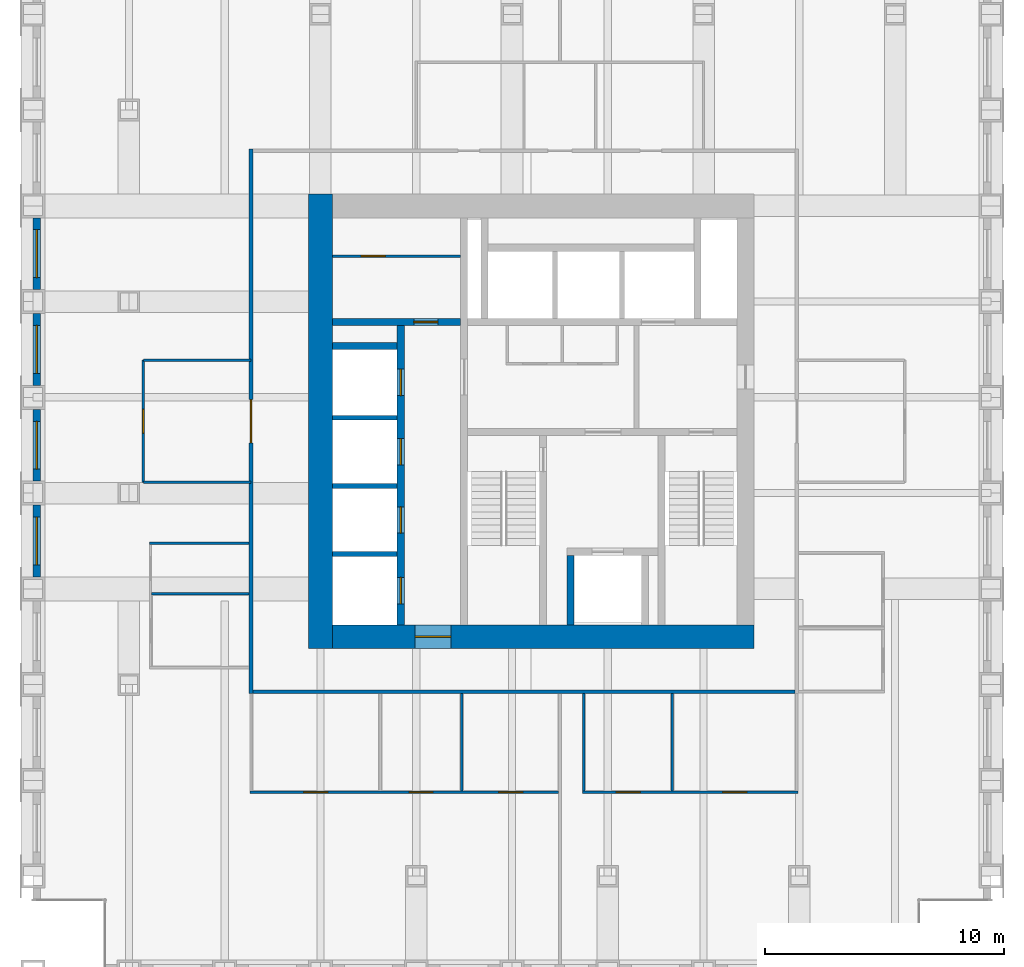
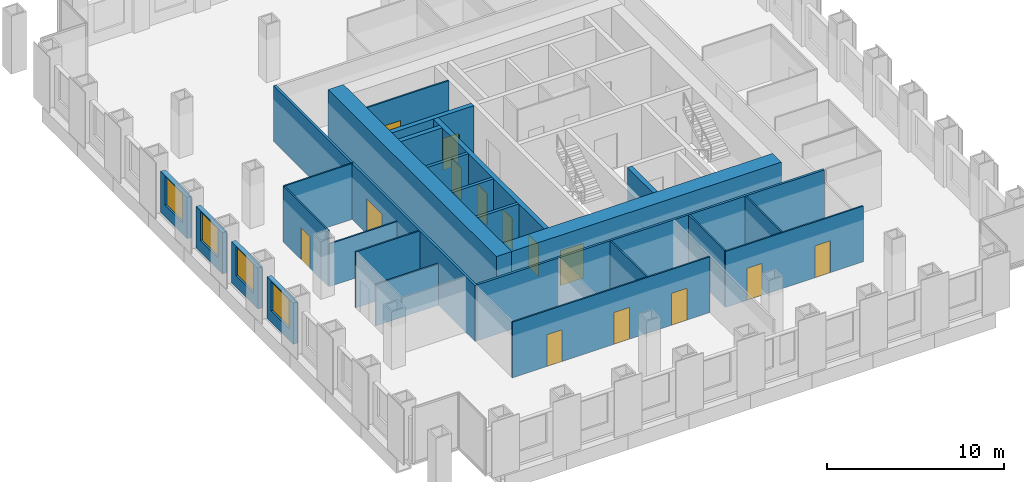
# One storey, part 8 of 12: 26 walls, 14 doors, 4 windows, 18 openings.
"""IFC4 building model written with IfcOpenShell, lengths in metres."""

from ifc_helpers import new_model, si_unit, direction, frame, frame_2d, origin, place, context, subcontext, project, spatial, rectangle, extrude, material, layer, layer_set, type_object, element, fill, save


model = new_model("IFC4")

# Units and contexts
model_context = context("Model", 3, precision=1e-05, world=origin(), true_north=direction((0.0, 1.0)))
body_context = subcontext(model_context, "Body", "Model", "MODEL_VIEW")
ifc_project = project(units=[si_unit("LENGTHUNIT", "METRE"), si_unit("AREAUNIT", "SQUARE_METRE"), si_unit("VOLUMEUNIT", "CUBIC_METRE"), si_unit("PLANEANGLEUNIT", "RADIAN"), si_unit("MASSUNIT", "GRAM", prefix="KILO")], contexts=[model_context])

# Site, building, storey
site_placement = place(None, origin())
site = spatial("IfcSite", under=ifc_project, at=site_placement, CompositionType="ELEMENT")
building_placement = place(site_placement, origin())
building = spatial("IfcBuilding", under=site, at=building_placement, Name="Rimbunsela Tower", CompositionType="ELEMENT")
storey_placement = place(building_placement, frame((0.0, 0.0, 147.800048828125)))
storey = spatial("IfcBuildingStorey", under=building, at=storey_placement, Name="L35", CompositionType="ELEMENT", Elevation=147.800048828125)

# Wall
ifc_material_1 = material(Name="Concrete fc' 80 MPa", Category="concrete")
ifc_layer_1 = layer(ifc_material_1, 0.300048828125)
ifc_layer_set_1 = layer_set([ifc_layer_1], Name="Core internal wall 300")
wall_type_1 = type_object("IfcWallType", Name="Core internal wall 300", PredefinedType="SHEAR", material=ifc_layer_set_1)
wall_1_placement = place(storey_placement, frame((28.449951171875, 18.5, -0.150146484375), z_axis=(0.0, 0.0, 1.0), x_axis=(0.0, 1.0, 0.0)))
element("IfcWall", 1, at=wall_1_placement, inside=storey, type_object=wall_type_1, Name="Firefighting lift shaft west", PredefinedType="SHEAR", context=body_context, shape_type="SweptSolid", body=[
    extrude(rectangle(XDim=2.89990234375, YDim=0.300048828125, at=frame_2d((1.449951171875, 0.0))), origin(), (0.0, 0.0, 1.0), 4.0),
])

# Wall, openings, doors
wall_2_placement = place(storey_placement, frame((21.35009765625, 18.5, -0.150146484375), z_axis=(0.0, 0.0, 1.0), x_axis=(0.0, 1.0, 0.0)))
wall_2 = element("IfcWall", 2, at=wall_2_placement, inside=storey, type_object=wall_type_1, Name="Lift shaft front west", PredefinedType="SHEAR", context=body_context, shape_type="SweptSolid", body=[
    extrude(rectangle(XDim=12.5, YDim=0.300048828125, at=frame_2d((6.25, 0.0))), origin(), (0.0, 0.0, 1.0), 4.0),
])
opening_1_placement = place(wall_2_placement, frame((0.875, 0.0, 0.14990234375)))
opening_1 = element("IfcOpeningElement", 3, at=opening_1_placement, cuts=wall_2, Name="Opening LD1", PredefinedType="OPENING", context=body_context, shape_type="SweptSolid", body=[
    extrude(rectangle(XDim=1.10009765625, YDim=2.199951171875, at=frame_2d((0.550048828125, 1.10009765625))), frame((0.0, 0.159912109375, 0.0), z_axis=(0.0, -1.0, 0.0), x_axis=(1.0, 0.0, 0.0)), (0.0, 0.0, 1.0), 0.320068359375),
])
opening_2_placement = place(wall_2_placement, frame((3.824951171875, 0.0, 0.14990234375)))
opening_2 = element("IfcOpeningElement", 4, at=opening_2_placement, cuts=wall_2, Name="Opening LD1", PredefinedType="OPENING", context=body_context, shape_type="SweptSolid", body=[
    extrude(rectangle(XDim=1.10009765625, YDim=2.199951171875, at=frame_2d((0.550048828125, 1.10009765625))), frame((0.0, 0.159912109375, 0.0), z_axis=(0.0, -1.0, 0.0), x_axis=(1.0, 0.0, 0.0)), (0.0, 0.0, 1.0), 0.320068359375),
])
opening_3_placement = place(wall_2_placement, frame((6.675048828125, 0.0, 0.14990234375)))
opening_3 = element("IfcOpeningElement", 5, at=opening_3_placement, cuts=wall_2, Name="Opening LD1", PredefinedType="OPENING", context=body_context, shape_type="SweptSolid", body=[
    extrude(rectangle(XDim=1.10009765625, YDim=2.199951171875, at=frame_2d((0.550048828125, 1.10009765625))), frame((0.0, 0.159912109375, 0.0), z_axis=(0.0, -1.0, 0.0), x_axis=(1.0, 0.0, 0.0)), (0.0, 0.0, 1.0), 0.320068359375),
])
opening_4_placement = place(wall_2_placement, frame((9.574951171875, 0.0, 0.14990234375)))
opening_4 = element("IfcOpeningElement", 6, at=opening_4_placement, cuts=wall_2, Name="Opening LD1", PredefinedType="OPENING", context=body_context, shape_type="SweptSolid", body=[
    extrude(rectangle(XDim=1.10009765625, YDim=2.199951171875, at=frame_2d((0.550048828125, 1.10009765625))), frame((0.0, 0.159912109375, 0.0), z_axis=(0.0, -1.0, 0.0), x_axis=(1.0, 0.0, 0.0)), (0.0, 0.0, 1.0), 0.320068359375),
])
ifc_material_2 = material(Name="Steel door, fire rated", Category="steel")
door_type_1 = type_object("IfcDoorType", Name="Lift landing door 1100", OperationType="DOUBLE_DOOR_SLIDING", PredefinedType="DOOR", material=ifc_material_2)
door_1_placement = place(opening_1_placement, origin())
door_1 = element("IfcDoor", 7, at=door_1_placement, inside=storey, type_object=door_type_1, Name="Lift landing door HL1", OperationType="DOUBLE_DOOR_SLIDING", OverallHeight=2.199951171875, OverallWidth=1.10009765625, PredefinedType="DOOR", context=body_context, shape_type="SweptSolid", body=[
    extrude(rectangle(XDim=1.10009765625, YDim=2.199951171875, at=frame_2d((0.550048828125, 1.10009765625))), frame((0.0, 0.02490234375, 0.0), z_axis=(0.0, -1.0, 0.0), x_axis=(1.0, 0.0, 0.0)), (0.0, 0.0, 1.0), 0.050048828125),
])
fill(opening_1, door_1)
door_2_placement = place(opening_2_placement, origin())
door_2 = element("IfcDoor", 8, at=door_2_placement, inside=storey, type_object=door_type_1, Name="Lift landing door HL2", OperationType="DOUBLE_DOOR_SLIDING", OverallHeight=2.199951171875, OverallWidth=1.10009765625, PredefinedType="DOOR", context=body_context, shape_type="SweptSolid", body=[
    extrude(rectangle(XDim=1.10009765625, YDim=2.199951171875, at=frame_2d((0.550048828125, 1.10009765625))), frame((0.0, 0.02490234375, 0.0), z_axis=(0.0, -1.0, 0.0), x_axis=(1.0, 0.0, 0.0)), (0.0, 0.0, 1.0), 0.050048828125),
])
fill(opening_2, door_2)
door_3_placement = place(opening_3_placement, origin())
door_3 = element("IfcDoor", 9, at=door_3_placement, inside=storey, type_object=door_type_1, Name="Lift landing door HL3", OperationType="DOUBLE_DOOR_SLIDING", OverallHeight=2.199951171875, OverallWidth=1.10009765625, PredefinedType="DOOR", context=body_context, shape_type="SweptSolid", body=[
    extrude(rectangle(XDim=1.10009765625, YDim=2.199951171875, at=frame_2d((0.550048828125, 1.10009765625))), frame((0.0, 0.02490234375, 0.0), z_axis=(0.0, -1.0, 0.0), x_axis=(1.0, 0.0, 0.0)), (0.0, 0.0, 1.0), 0.050048828125),
])
fill(opening_3, door_3)
door_4_placement = place(opening_4_placement, origin())
door_4 = element("IfcDoor", 10, at=door_4_placement, inside=storey, type_object=door_type_1, Name="Lift landing door HL4", OperationType="DOUBLE_DOOR_SLIDING", OverallHeight=2.199951171875, OverallWidth=1.10009765625, PredefinedType="DOOR", context=body_context, shape_type="SweptSolid", body=[
    extrude(rectangle(XDim=1.10009765625, YDim=2.199951171875, at=frame_2d((0.550048828125, 1.10009765625))), frame((0.0, 0.02490234375, 0.0), z_axis=(0.0, -1.0, 0.0), x_axis=(1.0, 0.0, 0.0)), (0.0, 0.0, 1.0), 0.050048828125),
])
fill(opening_4, door_4)

# Wall, opening, door
wall_3_placement = place(storey_placement, frame((18.5, 31.14990234375, -0.150146484375), z_axis=(0.0, 0.0, 1.0), x_axis=(1.0, 0.0, 0.0)))
wall_3 = element("IfcWall", 11, at=wall_3_placement, inside=storey, type_object=wall_type_1, Name="Store wall", PredefinedType="SHEAR", context=body_context, shape_type="SweptSolid", body=[
    extrude(rectangle(XDim=5.35009765625, YDim=0.300048828125, at=frame_2d((2.675048828125, 0.0))), origin(), (0.0, 0.0, 1.0), 4.0),
])
opening_5_placement = place(wall_3_placement, frame((3.39990234375, 0.0, 0.14990234375)))
opening_5 = element("IfcOpeningElement", 12, at=opening_5_placement, cuts=wall_3, Name="Opening D19", PredefinedType="OPENING", context=body_context, shape_type="SweptSolid", body=[
    extrude(rectangle(XDim=1.0, YDim=2.199951171875, at=frame_2d((0.5, 1.10009765625))), frame((0.0, 0.159912109375, 0.0), z_axis=(0.0, -1.0, 0.0), x_axis=(1.0, 0.0, 0.0)), (0.0, 0.0, 1.0), 0.320068359375),
])
ifc_material_3 = material(Name="Steel door, fire rated", Category="steel")
door_type_2 = type_object("IfcDoorType", Name="Service door 1000 fire rated", OperationType="SINGLE_SWING_LEFT", PredefinedType="DOOR", material=ifc_material_3)
door_5_placement = place(opening_5_placement, origin())
door_5 = element("IfcDoor", 13, at=door_5_placement, inside=storey, type_object=door_type_2, Name="Facilities store door", OperationType="SINGLE_SWING_LEFT", OverallHeight=2.199951171875, OverallWidth=1.0, PredefinedType="DOOR", context=body_context, shape_type="SweptSolid", body=[
    extrude(rectangle(XDim=1.0, YDim=2.199951171875, at=frame_2d((0.5, 1.10009765625))), frame((0.0, 0.02490234375, 0.0), z_axis=(0.0, -1.0, 0.0), x_axis=(1.0, 0.0, 0.0)), (0.0, 0.0, 1.0), 0.050048828125),
])
fill(opening_5, door_5)

# Wall
wall_4_placement = place(storey_placement, frame((18.5, 30.14990234375, -0.150146484375), z_axis=(0.0, 0.0, 1.0), x_axis=(1.0, 0.0, 0.0)))
element("IfcWall", 14, at=wall_4_placement, inside=storey, type_object=wall_type_1, Name="Lift shaft rear west", PredefinedType="SHEAR", context=body_context, shape_type="SweptSolid", body=[
    extrude(rectangle(XDim=2.699951171875, YDim=0.300048828125, at=frame_2d((1.35009765625, 0.0))), origin(), (0.0, 0.0, 1.0), 4.0),
])

# Wall, opening, door
ifc_material_4 = material(Name="Concrete blockwork", Category="masonry")
ifc_layer_2 = layer(ifc_material_4, 0.10009765625)
ifc_layer_set_2 = layer_set([ifc_layer_2], Name="Core room partition 100")
wall_type_2 = type_object("IfcWallType", Name="Core room partition 100", PredefinedType="PARTITIONING", material=ifc_layer_set_2)
wall_5_placement = place(storey_placement, frame((18.5, 33.89990234375, 0.0), z_axis=(0.0, 0.0, 1.0), x_axis=(1.0, 0.0, 0.0)))
wall_5 = element("IfcWall", 15, at=wall_5_placement, inside=storey, type_object=wall_type_2, Name="Equipment store wall", PredefinedType="PARTITIONING", context=body_context, shape_type="SweptSolid", body=[
    extrude(rectangle(XDim=5.35009765625, YDim=0.10009765625, at=frame_2d((2.675048828125, 0.0))), origin(), (0.0, 0.0, 1.0), 3.849853515625),
])
opening_6_placement = place(wall_5_placement, frame((1.199951171875, 0.0, 0.0)))
opening_6 = element("IfcOpeningElement", 16, at=opening_6_placement, cuts=wall_5, Name="Opening D19", PredefinedType="OPENING", context=body_context, shape_type="SweptSolid", body=[
    extrude(rectangle(XDim=1.0, YDim=2.199951171875, at=frame_2d((0.5, 1.10009765625))), frame((0.0, 0.06005859375, 0.0), z_axis=(0.0, -1.0, 0.0), x_axis=(1.0, 0.0, 0.0)), (0.0, 0.0, 1.0), 0.1201171875),
])
door_6_placement = place(opening_6_placement, origin())
door_6 = element("IfcDoor", 17, at=door_6_placement, inside=storey, type_object=door_type_2, Name="Equipment store door", OperationType="SINGLE_SWING_LEFT", OverallHeight=2.199951171875, OverallWidth=1.0, PredefinedType="DOOR", context=body_context, shape_type="SweptSolid", body=[
    extrude(rectangle(XDim=1.0, YDim=2.199951171875, at=frame_2d((0.5, 1.10009765625))), frame((0.0, 0.02490234375, 0.0), z_axis=(0.0, -1.0, 0.0), x_axis=(1.0, 0.0, 0.0)), (0.0, 0.0, 1.0), 0.050048828125),
])
fill(opening_6, door_6)

# Wall
ifc_material_5 = material(Name="Concrete fc' 80 MPa", Category="concrete")
ifc_layer_3 = layer(ifc_material_5, 1.0)
ifc_layer_set_3 = layer_set([ifc_layer_3], Name="Core wall 1000")
wall_type_3 = type_object("IfcWallType", Name="Core wall 1000", PredefinedType="SHEAR", material=ifc_layer_set_3)
wall_6_placement = place(storey_placement, frame((18.0, 17.5, -0.150146484375), z_axis=(0.0, 0.0, 1.0), x_axis=(0.0, 1.0, 0.0)))
element("IfcWall", 18, at=wall_6_placement, inside=storey, type_object=wall_type_3, Name="Core wall west", PredefinedType="SHEAR", context=body_context, shape_type="SweptSolid", body=[
    extrude(rectangle(XDim=19.0, YDim=1.0, at=frame_2d((9.5, 0.0))), origin(), (0.0, 0.0, 1.0), 4.0),
])

# Wall, opening, door
wall_7_placement = place(storey_placement, frame((18.5, 18.0, -0.150146484375), z_axis=(0.0, 0.0, 1.0), x_axis=(1.0, 0.0, 0.0)))
wall_7 = element("IfcWall", 19, at=wall_7_placement, inside=storey, type_object=wall_type_3, Name="Core wall south", PredefinedType="SHEAR", context=body_context, shape_type="SweptSolid", body=[
    extrude(rectangle(XDim=17.60009765625, YDim=1.0, at=frame_2d((8.800048828125, 0.0))), origin(), (0.0, 0.0, 1.0), 4.0),
])
opening_7_placement = place(wall_7_placement, frame((3.449951171875, 0.0, 0.14990234375)))
opening_7 = element("IfcOpeningElement", 20, at=opening_7_placement, cuts=wall_7, Name="Opening D03", PredefinedType="OPENING", context=body_context, shape_type="SweptSolid", body=[
    extrude(rectangle(XDim=1.5, YDim=2.39990234375, at=frame_2d((0.75, 1.199951171875))), frame((0.0, 0.510009765625, 0.0), z_axis=(0.0, -1.0, 0.0), x_axis=(1.0, 0.0, 0.0)), (0.0, 0.0, 1.0), 1.02001953125),
])
ifc_material_6 = material(Name="Steel door, fire rated", Category="steel")
door_type_3 = type_object("IfcDoorType", Name="Core lobby door 1500", OperationType="DOUBLE_DOOR_DOUBLE_SWING", PredefinedType="DOOR", material=ifc_material_6)
door_7_placement = place(opening_7_placement, origin())
door_7 = element("IfcDoor", 21, at=door_7_placement, inside=storey, type_object=door_type_3, Name="Core door south", OperationType="DOUBLE_DOOR_DOUBLE_SWING", OverallHeight=2.39990234375, OverallWidth=1.5, PredefinedType="DOOR", context=body_context, shape_type="SweptSolid", body=[
    extrude(rectangle(XDim=1.5, YDim=2.39990234375, at=frame_2d((0.75, 1.199951171875))), frame((0.0, 0.02490234375, 0.0), z_axis=(0.0, -1.0, 0.0), x_axis=(1.0, 0.0, 0.0)), (0.0, 0.0, 1.0), 0.050048828125),
])
fill(opening_7, door_7)

# Walls
ifc_material_7 = material(Name="Concrete blockwork", Category="masonry")
ifc_layer_4 = layer(ifc_material_7, 0.199951171875)
ifc_layer_set_4 = layer_set([ifc_layer_4], Name="Lift shaft wall 200")
wall_type_4 = type_object("IfcWallType", Name="Lift shaft wall 200", PredefinedType="SOLIDWALL", material=ifc_layer_set_4)
for number, where, z_axis, x_axis, name in (
    (22, (18.5, 21.449951171875, -0.150146484375), (0.0, 0.0, 1.0), (1.0, 0.0, 0.0), "Lift shaft separation"),
    (23, (18.5, 24.300048828125, -0.150146484375), (0.0, 0.0, 1.0), (1.0, 0.0, 0.0), "Lift shaft separation"),
    (24, (18.5, 27.14990234375, -0.150146484375), (0.0, 0.0, 1.0), (1.0, 0.0, 0.0), "Lift shaft separation"),
):
    element("IfcWall", number, at=place(storey_placement, frame(where, z_axis=z_axis, x_axis=x_axis)), inside=storey, type_object=wall_type_4, Name=name, PredefinedType="SOLIDWALL", context=body_context, shape_type="SweptSolid", body=[
        extrude(rectangle(XDim=2.699951171875, YDim=0.199951171875, at=frame_2d((1.35009765625, 0.0))), origin(), (0.0, 0.0, 1.0), 4.0),
    ])

# Wall, openings, doors
ifc_material_8 = material(Name="Gypsum board on steel studs", Category="steel")
ifc_layer_5 = layer(ifc_material_8, 0.10009765625)
ifc_layer_set_5 = layer_set([ifc_layer_5], Name="Office partition 100")
wall_type_5 = type_object("IfcWallType", Name="Office partition 100", PredefinedType="PARTITIONING", material=ifc_layer_set_5)
wall_8_placement = place(storey_placement, frame((15.050048828125, 11.5, 0.0), z_axis=(0.0, 0.0, 1.0), x_axis=(1.0, 0.0, 0.0)))
wall_8 = element("IfcWall", 25, at=wall_8_placement, inside=storey, type_object=wall_type_5, Name="Office partition", PredefinedType="PARTITIONING", context=body_context, shape_type="SweptSolid", body=[
    extrude(rectangle(XDim=12.888916015625, YDim=0.10009765625, at=frame_2d((6.4443359375, 0.0))), origin(), (0.0, 0.0, 1.0), 3.849853515625),
])
opening_8_placement = place(wall_8_placement, frame((2.25, 0.0, 0.0)))
opening_8 = element("IfcOpeningElement", 26, at=opening_8_placement, cuts=wall_8, Name="Opening D17", PredefinedType="OPENING", context=body_context, shape_type="SweptSolid", body=[
    extrude(rectangle(XDim=1.0, YDim=2.199951171875, at=frame_2d((0.5, 1.10009765625))), frame((0.0, 0.06005859375, 0.0), z_axis=(0.0, -1.0, 0.0), x_axis=(1.0, 0.0, 0.0)), (0.0, 0.0, 1.0), 0.1201171875),
])
opening_9_placement = place(wall_8_placement, frame((6.64990234375, 0.0, 0.0)))
opening_9 = element("IfcOpeningElement", 27, at=opening_9_placement, cuts=wall_8, Name="Opening D16", PredefinedType="OPENING", context=body_context, shape_type="SweptSolid", body=[
    extrude(rectangle(XDim=1.0, YDim=2.199951171875, at=frame_2d((0.5, 1.10009765625))), frame((0.0, 0.06005859375, 0.0), z_axis=(0.0, -1.0, 0.0), x_axis=(1.0, 0.0, 0.0)), (0.0, 0.0, 1.0), 0.1201171875),
])
opening_10_placement = place(wall_8_placement, frame((10.3994140625, 0.0, 0.0)))
opening_10 = element("IfcOpeningElement", 28, at=opening_10_placement, cuts=wall_8, Name="Opening D16", PredefinedType="OPENING", context=body_context, shape_type="SweptSolid", body=[
    extrude(rectangle(XDim=1.0, YDim=2.199951171875, at=frame_2d((0.5, 1.10009765625))), frame((0.0, 0.06005859375, 0.0), z_axis=(0.0, -1.0, 0.0), x_axis=(1.0, 0.0, 0.0)), (0.0, 0.0, 1.0), 0.1201171875),
])
ifc_material_9 = material(Name="Glazed aluminium door", Category="aluminium")
door_type_4 = type_object("IfcDoorType", Name="Meeting room door 1000 glazed", OperationType="SINGLE_SWING_RIGHT", PredefinedType="DOOR", material=ifc_material_9)
door_8_placement = place(opening_8_placement, origin())
door_8 = element("IfcDoor", 29, at=door_8_placement, inside=storey, type_object=door_type_4, Name="Meeting room door", OperationType="SINGLE_SWING_RIGHT", OverallHeight=2.199951171875, OverallWidth=1.0, PredefinedType="DOOR", context=body_context, shape_type="SweptSolid", body=[
    extrude(rectangle(XDim=1.0, YDim=2.199951171875, at=frame_2d((0.5, 1.10009765625))), frame((0.0, 0.02490234375, 0.0), z_axis=(0.0, -1.0, 0.0), x_axis=(1.0, 0.0, 0.0)), (0.0, 0.0, 1.0), 0.050048828125),
])
fill(opening_8, door_8)
ifc_material_10 = material(Name="Timber door", Category="wood")
door_type_5 = type_object("IfcDoorType", Name="Office door 1000", OperationType="SINGLE_SWING_LEFT", PredefinedType="DOOR", material=ifc_material_10)
door_9_placement = place(opening_9_placement, origin())
door_9 = element("IfcDoor", 30, at=door_9_placement, inside=storey, type_object=door_type_5, Name="Office door", OperationType="SINGLE_SWING_LEFT", OverallHeight=2.199951171875, OverallWidth=1.0, PredefinedType="DOOR", context=body_context, shape_type="SweptSolid", body=[
    extrude(rectangle(XDim=1.0, YDim=2.199951171875, at=frame_2d((0.5, 1.10009765625))), frame((0.0, 0.02490234375, 0.0), z_axis=(0.0, -1.0, 0.0), x_axis=(1.0, 0.0, 0.0)), (0.0, 0.0, 1.0), 0.050048828125),
])
fill(opening_9, door_9)
door_10_placement = place(opening_10_placement, origin())
door_10 = element("IfcDoor", 31, at=door_10_placement, inside=storey, type_object=door_type_5, Name="Office door", OperationType="SINGLE_SWING_LEFT", OverallHeight=2.199951171875, OverallWidth=1.0, PredefinedType="DOOR", context=body_context, shape_type="SweptSolid", body=[
    extrude(rectangle(XDim=1.0, YDim=2.199951171875, at=frame_2d((0.5, 1.10009765625))), frame((0.0, 0.02490234375, 0.0), z_axis=(0.0, -1.0, 0.0), x_axis=(1.0, 0.0, 0.0)), (0.0, 0.0, 1.0), 0.050048828125),
])
fill(opening_10, door_10)

wall_9_placement = place(storey_placement, frame((28.948974609375, 11.5, 0.0), z_axis=(0.0, 0.0, 1.0), x_axis=(1.0, 0.0, 0.0)))
wall_9 = element("IfcWall", 32, at=wall_9_placement, inside=storey, type_object=wall_type_5, Name="Office partition", PredefinedType="PARTITIONING", context=body_context, shape_type="SweptSolid", body=[
    extrude(rectangle(XDim=9.0009765625, YDim=0.10009765625, at=frame_2d((4.50048828125, 0.0))), origin(), (0.0, 0.0, 1.0), 3.849853515625),
])
opening_11_placement = place(wall_9_placement, frame((1.39990234375, 0.0, 0.0)))
opening_11 = element("IfcOpeningElement", 33, at=opening_11_placement, cuts=wall_9, Name="Opening D17", PredefinedType="OPENING", context=body_context, shape_type="SweptSolid", body=[
    extrude(rectangle(XDim=1.0, YDim=2.199951171875, at=frame_2d((0.5, 1.10009765625))), frame((0.0, 0.06005859375, 0.0), z_axis=(0.0, -1.0, 0.0), x_axis=(1.0, 0.0, 0.0)), (0.0, 0.0, 1.0), 0.1201171875),
])
opening_12_placement = place(wall_9_placement, frame((5.8505859375, 0.0, 0.0)))
opening_12 = element("IfcOpeningElement", 34, at=opening_12_placement, cuts=wall_9, Name="Opening D16", PredefinedType="OPENING", context=body_context, shape_type="SweptSolid", body=[
    extrude(rectangle(XDim=1.0, YDim=2.199951171875, at=frame_2d((0.5, 1.10009765625))), frame((0.0, 0.06005859375, 0.0), z_axis=(0.0, -1.0, 0.0), x_axis=(1.0, 0.0, 0.0)), (0.0, 0.0, 1.0), 0.1201171875),
])
door_11_placement = place(opening_11_placement, origin())
door_11 = element("IfcDoor", 35, at=door_11_placement, inside=storey, type_object=door_type_4, Name="Meeting room door", OperationType="SINGLE_SWING_RIGHT", OverallHeight=2.199951171875, OverallWidth=1.0, PredefinedType="DOOR", context=body_context, shape_type="SweptSolid", body=[
    extrude(rectangle(XDim=1.0, YDim=2.199951171875, at=frame_2d((0.5, 1.10009765625))), frame((0.0, 0.02490234375, 0.0), z_axis=(0.0, -1.0, 0.0), x_axis=(1.0, 0.0, 0.0)), (0.0, 0.0, 1.0), 0.050048828125),
])
fill(opening_11, door_11)
door_12_placement = place(opening_12_placement, origin())
door_12 = element("IfcDoor", 36, at=door_12_placement, inside=storey, type_object=door_type_5, Name="Office door", OperationType="SINGLE_SWING_LEFT", OverallHeight=2.199951171875, OverallWidth=1.0, PredefinedType="DOOR", context=body_context, shape_type="SweptSolid", body=[
    extrude(rectangle(XDim=1.0, YDim=2.199951171875, at=frame_2d((0.5, 1.10009765625))), frame((0.0, 0.02490234375, 0.0), z_axis=(0.0, -1.0, 0.0), x_axis=(1.0, 0.0, 0.0)), (0.0, 0.0, 1.0), 0.050048828125),
])
fill(opening_12, door_12)

# Walls
wall_10_placement = place(storey_placement, frame((10.949951171875, 19.800048828125, 0.0), z_axis=(0.0, 0.0, 1.0), x_axis=(1.0, 0.0, 0.0)))
element("IfcWall", 37, at=wall_10_placement, inside=storey, type_object=wall_type_5, Name="Office partition", PredefinedType="PARTITIONING", context=body_context, shape_type="SweptSolid", body=[
    extrude(rectangle(XDim=4.074951171875, YDim=0.10009765625, at=frame_2d((2.03759765625, 0.0))), origin(), (0.0, 0.0, 1.0), 2.849853515625),
])
wall_11_placement = place(storey_placement, frame((10.85009765625, 21.89990234375, 0.0), z_axis=(0.0, 0.0, 1.0), x_axis=(1.0, 0.0, 0.0)))
element("IfcWall", 38, at=wall_11_placement, inside=storey, type_object=wall_type_5, Name="Office partition", PredefinedType="PARTITIONING", context=body_context, shape_type="SweptSolid", body=[
    extrude(rectangle(XDim=4.1748046875, YDim=0.10009765625, at=frame_2d((2.08740234375, 0.0))), origin(), (0.0, 0.0, 1.0), 3.849853515625),
])
for number, where, z_axis, x_axis, name in (
    (39, (23.89990234375, 11.550048828125, 0.0), (0.0, 0.0, 1.0), (0.0, 1.0, 0.0), "Office partition"),
    (40, (28.9990234375, 11.550048828125, 0.0), (0.0, 0.0, 1.0), (0.0, 1.0, 0.0), "Office partition"),
    (41, (32.698974609375, 11.550048828125, 0.0), (0.0, 0.0, 1.0), (0.0, 1.0, 0.0), "Office partition"),
):
    element("IfcWall", number, at=place(storey_placement, frame(where, z_axis=z_axis, x_axis=x_axis)), inside=storey, type_object=wall_type_5, Name=name, PredefinedType="PARTITIONING", context=body_context, shape_type="SweptSolid", body=[
        extrude(rectangle(XDim=4.074951171875, YDim=0.10009765625, at=frame_2d((2.03759765625, 0.0))), origin(), (0.0, 0.0, 1.0), 3.849853515625),
    ])
wall_12_placement = place(storey_placement, frame((15.10009765625, 29.550048828125, 0.0), z_axis=(0.0, 0.0, 1.0), x_axis=(-1.0, 0.0, 0.0)))
element("IfcWall", 42, at=wall_12_placement, inside=storey, type_object=wall_type_5, Name="Office partition", PredefinedType="PARTITIONING", context=body_context, shape_type="SweptSolid", body=[
    extrude(rectangle(XDim=4.5, YDim=0.10009765625, at=frame_2d((2.25, 0.0))), origin(), (0.0, 0.0, 1.0), 3.849853515625),
])

# Wall, opening, door
wall_13_placement = place(storey_placement, frame((10.60009765625, 29.550048828125, 0.0), z_axis=(0.0, 0.0, 1.0), x_axis=(0.0, -1.0, 0.0)))
wall_13 = element("IfcWall", 43, at=wall_13_placement, inside=storey, type_object=wall_type_5, Name="Office partition", PredefinedType="PARTITIONING", context=body_context, shape_type="SweptSolid", body=[
    extrude(rectangle(XDim=5.10009765625, YDim=0.10009765625, at=frame_2d((2.550048828125, 0.0))), origin(), (0.0, 0.0, 1.0), 3.849853515625),
])
opening_13_placement = place(wall_13_placement, frame((2.050048828125, 0.0, 0.0)))
opening_13 = element("IfcOpeningElement", 44, at=opening_13_placement, cuts=wall_13, Name="Opening D17", PredefinedType="OPENING", context=body_context, shape_type="SweptSolid", body=[
    extrude(rectangle(XDim=1.0, YDim=2.199951171875, at=frame_2d((0.5, 1.10009765625))), frame((0.0, 0.06005859375, 0.0), z_axis=(0.0, -1.0, 0.0), x_axis=(1.0, 0.0, 0.0)), (0.0, 0.0, 1.0), 0.1201171875),
])
door_13_placement = place(opening_13_placement, origin())
door_13 = element("IfcDoor", 45, at=door_13_placement, inside=storey, type_object=door_type_4, Name="Reception door", OperationType="SINGLE_SWING_RIGHT", OverallHeight=2.199951171875, OverallWidth=1.0, PredefinedType="DOOR", context=body_context, shape_type="SweptSolid", body=[
    extrude(rectangle(XDim=1.0, YDim=2.199951171875, at=frame_2d((0.5, 1.10009765625))), frame((0.0, 0.02490234375, 0.0), z_axis=(0.0, -1.0, 0.0), x_axis=(1.0, 0.0, 0.0)), (0.0, 0.0, 1.0), 0.050048828125),
])
fill(opening_13, door_13)

# Wall
wall_14_placement = place(storey_placement, frame((10.60009765625, 24.449951171875, 0.0), z_axis=(0.0, 0.0, 1.0), x_axis=(1.0, 0.0, 0.0)))
element("IfcWall", 46, at=wall_14_placement, inside=storey, type_object=wall_type_5, Name="Office partition", PredefinedType="PARTITIONING", context=body_context, shape_type="SweptSolid", body=[
    extrude(rectangle(XDim=4.5, YDim=0.10009765625, at=frame_2d((2.25, 0.0))), origin(), (0.0, 0.0, 1.0), 2.949951171875),
])

# Wall, opening, window
ifc_material_11 = material(Name="Precast concrete fc' 35 MPa", Category="concrete")
ifc_layer_6 = layer(ifc_material_11, 0.300048828125)
ifc_layer_set_6 = layer_set([ifc_layer_6], Name="Precast concrete fc' 35 MPa")
wall_type_6 = type_object("IfcWallType", Name="Precast facade panel 300", PredefinedType="ELEMENTEDWALL", material=ifc_layer_set_6)
wall_15_placement = place(storey_placement, frame((6.14990234375, 23.5, 0.0), z_axis=(0.0, 0.0, 1.0), x_axis=(0.0, -1.0, 0.0)))
wall_15 = element("IfcWall", 47, at=wall_15_placement, inside=storey, type_object=wall_type_6, Name="Facade panel W L35", PredefinedType="ELEMENTEDWALL", context=body_context, shape_type="SweptSolid", body=[
    extrude(rectangle(XDim=3.0, YDim=0.300048828125, at=frame_2d((1.5, 0.0))), origin(), (0.0, 0.0, 1.0), 2.849853515625),
])
opening_14_placement = place(wall_15_placement, frame((0.5, 0.0, 0.800048828125)))
opening_14 = element("IfcOpeningElement", 48, at=opening_14_placement, cuts=wall_15, Name="Opening W1", PredefinedType="OPENING", context=body_context, shape_type="SweptSolid", body=[
    extrude(rectangle(XDim=2.0, YDim=2.0, at=frame_2d((1.0, 1.0))), frame((0.0, 0.159912109375, 0.0), z_axis=(0.0, -1.0, 0.0), x_axis=(1.0, 0.0, 0.0)), (0.0, 0.0, 1.0), 0.320068359375),
])
ifc_material_12 = material(Name="Clear glass in aluminium frame", Category="aluminium")
window_type = type_object("IfcWindowType", Name="Window W1 2000x2000", PartitioningType="DOUBLE_PANEL_VERTICAL", PredefinedType="WINDOW", material=ifc_material_12)
window_1_placement = place(opening_14_placement, origin())
window_1 = element("IfcWindow", 49, at=window_1_placement, inside=storey, type_object=window_type, Name="Window L35", OverallHeight=2.0, OverallWidth=2.0, PartitioningType="SINGLE_PANEL", PredefinedType="WINDOW", context=body_context, shape_type="SweptSolid", body=[
    extrude(rectangle(XDim=2.0, YDim=2.0, at=frame_2d((1.0, 1.0))), frame((0.0, 0.030029296875, 0.0), z_axis=(0.0, -1.0, 0.0), x_axis=(1.0, 0.0, 0.0)), (0.0, 0.0, 1.0), 0.06005859375),
])
fill(opening_14, window_1)

wall_16_placement = place(storey_placement, frame((6.14990234375, 27.5, 0.0), z_axis=(0.0, 0.0, 1.0), x_axis=(0.0, -1.0, 0.0)))
wall_16 = element("IfcWall", 50, at=wall_16_placement, inside=storey, type_object=wall_type_6, Name="Facade panel W L35", PredefinedType="ELEMENTEDWALL", context=body_context, shape_type="SweptSolid", body=[
    extrude(rectangle(XDim=3.0, YDim=0.300048828125, at=frame_2d((1.5, 0.0))), origin(), (0.0, 0.0, 1.0), 2.849853515625),
])
opening_15_placement = place(wall_16_placement, frame((0.5, 0.0, 0.800048828125)))
opening_15 = element("IfcOpeningElement", 51, at=opening_15_placement, cuts=wall_16, Name="Opening W1", PredefinedType="OPENING", context=body_context, shape_type="SweptSolid", body=[
    extrude(rectangle(XDim=2.0, YDim=2.0, at=frame_2d((1.0, 1.0))), frame((0.0, 0.159912109375, 0.0), z_axis=(0.0, -1.0, 0.0), x_axis=(1.0, 0.0, 0.0)), (0.0, 0.0, 1.0), 0.320068359375),
])
window_2_placement = place(opening_15_placement, origin())
window_2 = element("IfcWindow", 52, at=window_2_placement, inside=storey, type_object=window_type, Name="Window L35", OverallHeight=2.0, OverallWidth=2.0, PartitioningType="SINGLE_PANEL", PredefinedType="WINDOW", context=body_context, shape_type="SweptSolid", body=[
    extrude(rectangle(XDim=2.0, YDim=2.0, at=frame_2d((1.0, 1.0))), frame((0.0, 0.030029296875, 0.0), z_axis=(0.0, -1.0, 0.0), x_axis=(1.0, 0.0, 0.0)), (0.0, 0.0, 1.0), 0.06005859375),
])
fill(opening_15, window_2)

wall_17_placement = place(storey_placement, frame((6.14990234375, 31.5, 0.0), z_axis=(0.0, 0.0, 1.0), x_axis=(0.0, -1.0, 0.0)))
wall_17 = element("IfcWall", 53, at=wall_17_placement, inside=storey, type_object=wall_type_6, Name="Facade panel W L35", PredefinedType="ELEMENTEDWALL", context=body_context, shape_type="SweptSolid", body=[
    extrude(rectangle(XDim=3.0, YDim=0.300048828125, at=frame_2d((1.5, 0.0))), origin(), (0.0, 0.0, 1.0), 2.849853515625),
])
opening_16_placement = place(wall_17_placement, frame((0.5, 0.0, 0.800048828125)))
opening_16 = element("IfcOpeningElement", 54, at=opening_16_placement, cuts=wall_17, Name="Opening W1", PredefinedType="OPENING", context=body_context, shape_type="SweptSolid", body=[
    extrude(rectangle(XDim=2.0, YDim=2.0, at=frame_2d((1.0, 1.0))), frame((0.0, 0.159912109375, 0.0), z_axis=(0.0, -1.0, 0.0), x_axis=(1.0, 0.0, 0.0)), (0.0, 0.0, 1.0), 0.320068359375),
])
window_3_placement = place(opening_16_placement, origin())
window_3 = element("IfcWindow", 55, at=window_3_placement, inside=storey, type_object=window_type, Name="Window L35", OverallHeight=2.0, OverallWidth=2.0, PartitioningType="SINGLE_PANEL", PredefinedType="WINDOW", context=body_context, shape_type="SweptSolid", body=[
    extrude(rectangle(XDim=2.0, YDim=2.0, at=frame_2d((1.0, 1.0))), frame((0.0, 0.030029296875, 0.0), z_axis=(0.0, -1.0, 0.0), x_axis=(1.0, 0.0, 0.0)), (0.0, 0.0, 1.0), 0.06005859375),
])
fill(opening_16, window_3)

wall_18_placement = place(storey_placement, frame((6.14990234375, 35.5, 0.0), z_axis=(0.0, 0.0, 1.0), x_axis=(0.0, -1.0, 0.0)))
wall_18 = element("IfcWall", 56, at=wall_18_placement, inside=storey, type_object=wall_type_6, Name="Facade panel W L35", PredefinedType="ELEMENTEDWALL", context=body_context, shape_type="SweptSolid", body=[
    extrude(rectangle(XDim=3.0, YDim=0.300048828125, at=frame_2d((1.5, 0.0))), origin(), (0.0, 0.0, 1.0), 2.849853515625),
])
opening_17_placement = place(wall_18_placement, frame((0.5, 0.0, 0.800048828125)))
opening_17 = element("IfcOpeningElement", 57, at=opening_17_placement, cuts=wall_18, Name="Opening W1", PredefinedType="OPENING", context=body_context, shape_type="SweptSolid", body=[
    extrude(rectangle(XDim=2.0, YDim=2.0, at=frame_2d((1.0, 1.0))), frame((0.0, 0.159912109375, 0.0), z_axis=(0.0, -1.0, 0.0), x_axis=(1.0, 0.0, 0.0)), (0.0, 0.0, 1.0), 0.320068359375),
])
window_4_placement = place(opening_17_placement, origin())
window_4 = element("IfcWindow", 58, at=window_4_placement, inside=storey, type_object=window_type, Name="Window L35", OverallHeight=2.0, OverallWidth=2.0, PartitioningType="SINGLE_PANEL", PredefinedType="WINDOW", context=body_context, shape_type="SweptSolid", body=[
    extrude(rectangle(XDim=2.0, YDim=2.0, at=frame_2d((1.0, 1.0))), frame((0.0, 0.030029296875, 0.0), z_axis=(0.0, -1.0, 0.0), x_axis=(1.0, 0.0, 0.0)), (0.0, 0.0, 1.0), 0.06005859375),
])
fill(opening_17, window_4)

# Wall, opening, door
ifc_material_13 = material(Name="Fire-rated gypsum board on steel studs, EI 60", Category="steel")
ifc_layer_7 = layer(ifc_material_13, 0.14990234375)
ifc_layer_set_7 = layer_set([ifc_layer_7], Name="Rated corridor wall 150")
wall_type_7 = type_object("IfcWallType", Name="Rated corridor wall 150", PredefinedType="PARTITIONING", material=ifc_layer_set_7)
wall_19_placement = place(storey_placement, frame((15.10009765625, 15.625, 0.0), z_axis=(0.0, 0.0, 1.0), x_axis=(0.0, 1.0, 0.0)))
wall_19 = element("IfcWall", 59, at=wall_19_placement, inside=storey, type_object=wall_type_7, Name="Corridor wall west", PredefinedType="PARTITIONING", context=body_context, shape_type="SweptSolid", body=[
    extrude(rectangle(XDim=22.75, YDim=0.14990234375, at=frame_2d((11.375, 0.0))), origin(), (0.0, 0.0, 1.0), 3.849853515625),
])
opening_18_placement = place(wall_19_placement, frame((10.47509765625, 0.0, 0.0)))
opening_18 = element("IfcOpeningElement", 60, at=opening_18_placement, cuts=wall_19, Name="Opening D09", PredefinedType="OPENING", context=body_context, shape_type="SweptSolid", body=[
    extrude(rectangle(XDim=1.800048828125, YDim=2.39990234375, at=frame_2d((0.89990234375, 1.199951171875))), frame((0.0, 0.0849609375, 0.0), z_axis=(0.0, -1.0, 0.0), x_axis=(1.0, 0.0, 0.0)), (0.0, 0.0, 1.0), 0.169921875),
])
ifc_material_14 = material(Name="Glazed aluminium door, fire rated", Category="aluminium")
door_type_6 = type_object("IfcDoorType", Name="Tenancy door 1800 glazed", OperationType="DOUBLE_DOOR_DOUBLE_SWING", PredefinedType="DOOR", material=ifc_material_14)
door_14_placement = place(opening_18_placement, origin())
door_14 = element("IfcDoor", 61, at=door_14_placement, inside=storey, type_object=door_type_6, Name="Tenancy door", OperationType="DOUBLE_DOOR_DOUBLE_SWING", OverallHeight=2.39990234375, OverallWidth=1.800048828125, PredefinedType="DOOR", context=body_context, shape_type="SweptSolid", body=[
    extrude(rectangle(XDim=1.800048828125, YDim=2.39990234375, at=frame_2d((0.89990234375, 1.199951171875))), frame((0.0, 0.02490234375, 0.0), z_axis=(0.0, -1.0, 0.0), x_axis=(1.0, 0.0, 0.0)), (0.0, 0.0, 1.0), 0.050048828125),
])
fill(opening_18, door_14)

# Wall
wall_20_placement = place(storey_placement, frame((15.175048828125, 15.699951171875, 0.0), z_axis=(0.0, 0.0, 1.0), x_axis=(1.0, 0.0, 0.0)))
element("IfcWall", 62, at=wall_20_placement, inside=storey, type_object=wall_type_7, Name="Corridor wall south", PredefinedType="PARTITIONING", context=body_context, shape_type="SweptSolid", body=[
    extrude(rectangle(XDim=22.64990234375, YDim=0.14990234375, at=frame_2d((11.324951171875, 0.0))), origin(), (0.0, 0.0, 1.0), 3.849853515625),
])

save(model, "model.ifc")
